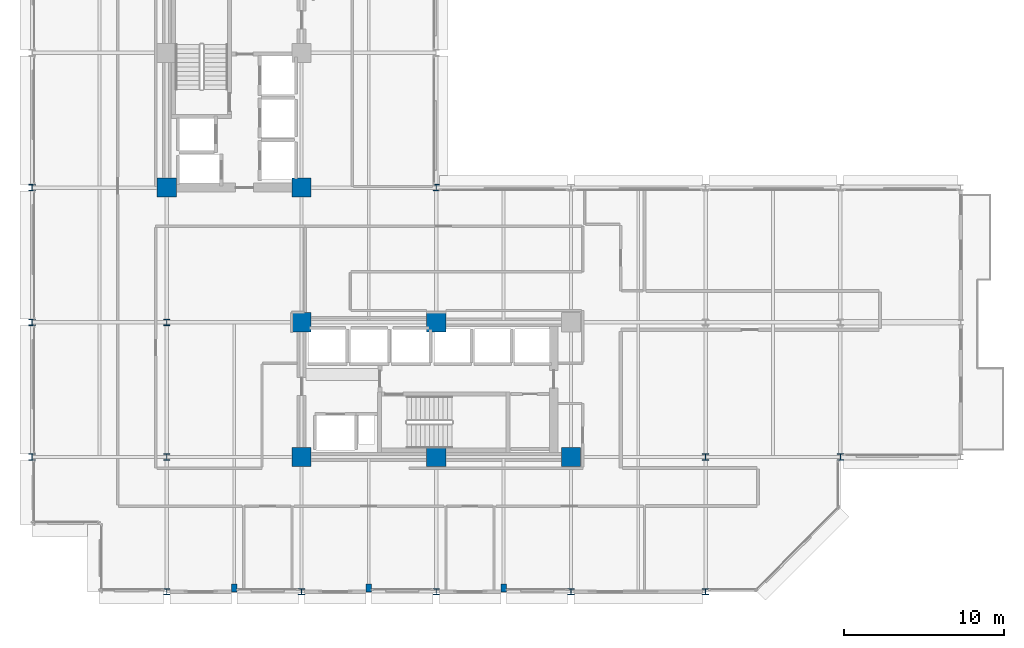
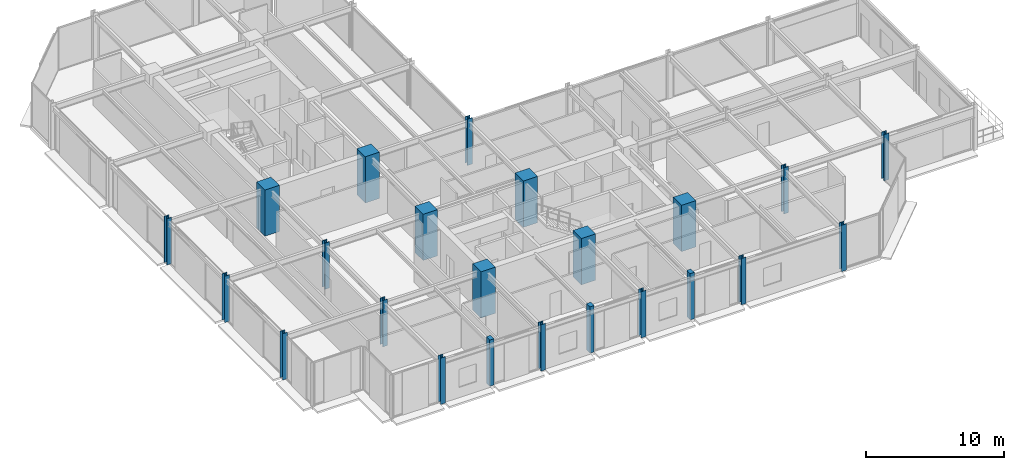
# One storey, part 1 of 39: 23 columns.
"""IFC4 building model written with IfcOpenShell, lengths in metres."""

from ifc_helpers import new_model, si_unit, direction, frame, origin, origin_2d, place, context, subcontext, project, spatial, rectangle, i_section, extrude, material, material_profile, profile_set, type_object, element, save


model = new_model("IFC4")

# Units and contexts
model_context = context("Model", 3, precision=1e-05, world=origin(), true_north=direction((0.0, 1.0)))
body_context = subcontext(model_context, "Body", "Model", "MODEL_VIEW")
ifc_project = project(units=[si_unit("LENGTHUNIT", "METRE"), si_unit("AREAUNIT", "SQUARE_METRE"), si_unit("VOLUMEUNIT", "CUBIC_METRE"), si_unit("PLANEANGLEUNIT", "RADIAN"), si_unit("MASSUNIT", "GRAM", prefix="KILO")], contexts=[model_context])

# Site, building, storey
site_placement = place(None, origin())
site = spatial("IfcSite", under=ifc_project, at=site_placement, CompositionType="ELEMENT")
building_placement = place(site_placement, origin())
building = spatial("IfcBuilding", under=site, at=building_placement, Name="Nerrivon Quay Data Exchange", CompositionType="ELEMENT")
storey_placement = place(building_placement, frame((0.0, 0.0, 92.60009765625)))
storey = spatial("IfcBuildingStorey", under=building, at=storey_placement, Name="L21", CompositionType="ELEMENT", Elevation=92.60009765625)

# Columns
ifc_material_1 = material(Name="Concrete S65 (65 MPa)", Category="concrete")
ifc_material_profile_1 = material_profile(ifc_material_1, rectangle(XDim=1.199951171875, YDim=1.199951171875, at=origin_2d()), Name="RC-COL-1200x1200")
ifc_profile_set_1 = profile_set([ifc_material_profile_1], Name="Concrete S65 (65 MPa)")
column_type_1 = type_object("IfcColumnType", Name="COL-C3-1200", PredefinedType="COLUMN", material=ifc_profile_set_1)
for number, where, z_axis, x_axis, name in (
    (1, (8.39990234375, 25.199951171875, 0.0), (0.0, 0.0, 1.0), (1.0, 0.0, 0.0), "L21 Column (8.4,25.2)"),
    (2, (16.800048828125, 8.39990234375, 0.0), (0.0, 0.0, 1.0), (1.0, 0.0, 0.0), "L21 Column (16.8,8.4)"),
    (3, (16.800048828125, 16.800048828125, 0.0), (0.0, 0.0, 1.0), (1.0, 0.0, 0.0), "L21 Column (16.8,16.8)"),
    (4, (16.800048828125, 25.199951171875, 0.0), (0.0, 0.0, 1.0), (1.0, 0.0, 0.0), "L21 Column (16.8,25.2)"),
    (5, (25.199951171875, 8.39990234375, 0.0), (0.0, 0.0, 1.0), (1.0, 0.0, 0.0), "L21 Column (25.2,8.4)"),
    (6, (25.199951171875, 16.800048828125, 0.0), (0.0, 0.0, 1.0), (1.0, 0.0, 0.0), "L21 Column (25.2,16.8)"),
    (7, (33.60009765625, 8.39990234375, 0.0), (0.0, 0.0, 1.0), (1.0, 0.0, 0.0), "L21 Column (33.6,8.4)"),
):
    element("IfcColumn", number, at=place(storey_placement, frame(where, z_axis=z_axis, x_axis=x_axis)), inside=storey, type_object=column_type_1, Name=name, PredefinedType="COLUMN", context=body_context, shape_type="SweptSolid", body=[
        extrude(rectangle(XDim=1.199951171875, YDim=1.199951171875, at=origin_2d()), origin(), (0.0, 0.0, 1.0), 4.099853515625),
    ])
ifc_material_2 = material(Name="Steel Grade 350", Category="steel")
ifc_material_profile_2 = material_profile(ifc_material_2, i_section(OverallWidth=0.39990234375, OverallDepth=0.39990234375, WebThickness=0.02490234375, FlangeThickness=0.0400390625, at=origin_2d()), Name="400WC328")
ifc_profile_set_2 = profile_set([ifc_material_profile_2], Name="Steel Grade 350")
column_type_2 = type_object("IfcColumnType", Name="COL-SC2-400WC", PredefinedType="COLUMN", material=ifc_profile_set_2)
for number, where, z_axis, x_axis, name in (
    (8, (0.0, 8.39990234375, 0.0), (0.0, 0.0, 1.0), (1.0, 0.0, 0.0), "L21 Column (0.0,8.4)"),
    (9, (0.0, 16.800048828125, 0.0), (0.0, 0.0, 1.0), (1.0, 0.0, 0.0), "L21 Column (0.0,16.8)"),
    (10, (0.0, 25.199951171875, 0.0), (0.0, 0.0, 1.0), (1.0, 0.0, 0.0), "L21 Column (0.0,25.2)"),
    (11, (8.39990234375, 0.0, 0.0), (0.0, 0.0, 1.0), (1.0, 0.0, 0.0), "L21 Column (8.4,0.0)"),
    (12, (8.39990234375, 8.39990234375, 0.0), (0.0, 0.0, 1.0), (1.0, 0.0, 0.0), "L21 Column (8.4,8.4)"),
    (13, (8.39990234375, 16.800048828125, 0.0), (0.0, 0.0, 1.0), (1.0, 0.0, 0.0), "L21 Column (8.4,16.8)"),
    (14, (16.800048828125, 0.0, 0.0), (0.0, 0.0, 1.0), (1.0, 0.0, 0.0), "L21 Column (16.8,0.0)"),
    (15, (25.199951171875, 0.0, 0.0), (0.0, 0.0, 1.0), (1.0, 0.0, 0.0), "L21 Column (25.2,0.0)"),
    (16, (25.199951171875, 25.199951171875, 0.0), (0.0, 0.0, 1.0), (1.0, 0.0, 0.0), "L21 Column (25.2,25.2)"),
    (17, (33.60009765625, 0.0, 0.0), (0.0, 0.0, 1.0), (1.0, 0.0, 0.0), "L21 Column (33.6,0.0)"),
    (18, (42.0, 0.0, 0.0), (0.0, 0.0, 1.0), (1.0, 0.0, 0.0), "L21 Column (42.0,0.0)"),
    (19, (42.0, 8.39990234375, 0.0), (0.0, 0.0, 1.0), (1.0, 0.0, 0.0), "L21 Column (42.0,8.4)"),
    (20, (50.39990234375, 8.39990234375, 0.0), (0.0, 0.0, 1.0), (1.0, 0.0, 0.0), "L21 Column (50.4,8.4)"),
):
    element("IfcColumn", number, at=place(storey_placement, frame(where, z_axis=z_axis, x_axis=x_axis)), inside=storey, type_object=column_type_2, Name=name, PredefinedType="COLUMN", context=body_context, shape_type="SweptSolid", body=[
        extrude(i_section(OverallWidth=0.39990234375, OverallDepth=0.39990234375, WebThickness=0.02490234375, FlangeThickness=0.0400390625, at=origin_2d()), origin(), (0.0, 0.0, 1.0), 4.099853515625),
    ])
ifc_material_3 = material(Name="Concrete N50 (50 MPa)", Category="concrete")
ifc_material_profile_3 = material_profile(ifc_material_3, rectangle(XDim=0.35009765625, YDim=0.5, at=origin_2d()), Name="RC-PIL-500x350")
ifc_profile_set_3 = profile_set([ifc_material_profile_3], Name="Concrete N50 (50 MPa)")
column_type_3 = type_object("IfcColumnType", Name="PIL-P2-500x350", PredefinedType="PILASTER", material=ifc_profile_set_3)
for number, where, z_axis, x_axis, name in (
    (21, (12.60009765625, 0.25, 0.0), (0.0, 0.0, 1.0), (1.0, 0.0, 0.0), "L21 Facade Pilaster (12.6)"),
    (22, (21.0, 0.25, 0.0), (0.0, 0.0, 1.0), (1.0, 0.0, 0.0), "L21 Facade Pilaster (21.0)"),
    (23, (29.39990234375, 0.25, 0.0), (0.0, 0.0, 1.0), (1.0, 0.0, 0.0), "L21 Facade Pilaster (29.4)"),
):
    element("IfcColumn", number, at=place(storey_placement, frame(where, z_axis=z_axis, x_axis=x_axis)), inside=storey, type_object=column_type_3, Name=name, PredefinedType="PILASTER", context=body_context, shape_type="SweptSolid", body=[
        extrude(rectangle(XDim=0.35009765625, YDim=0.5, at=origin_2d()), origin(), (0.0, 0.0, 1.0), 4.099853515625),
    ])

save(model, "model.ifc")
